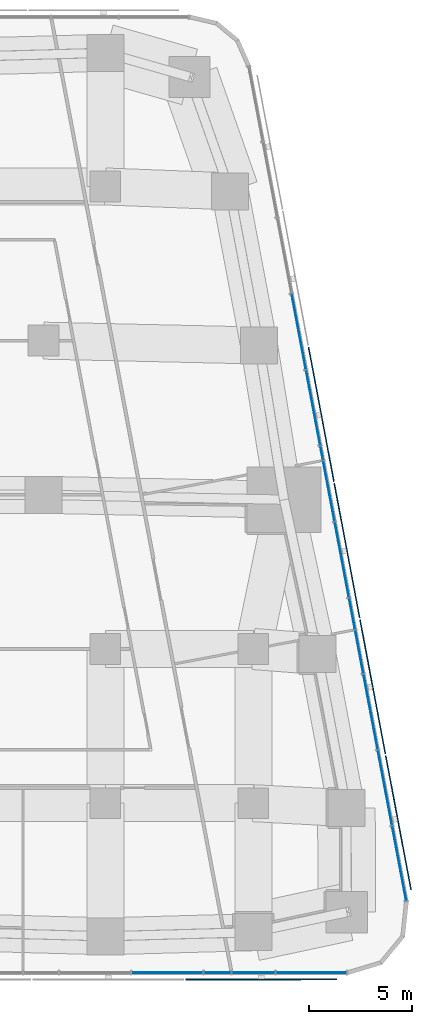
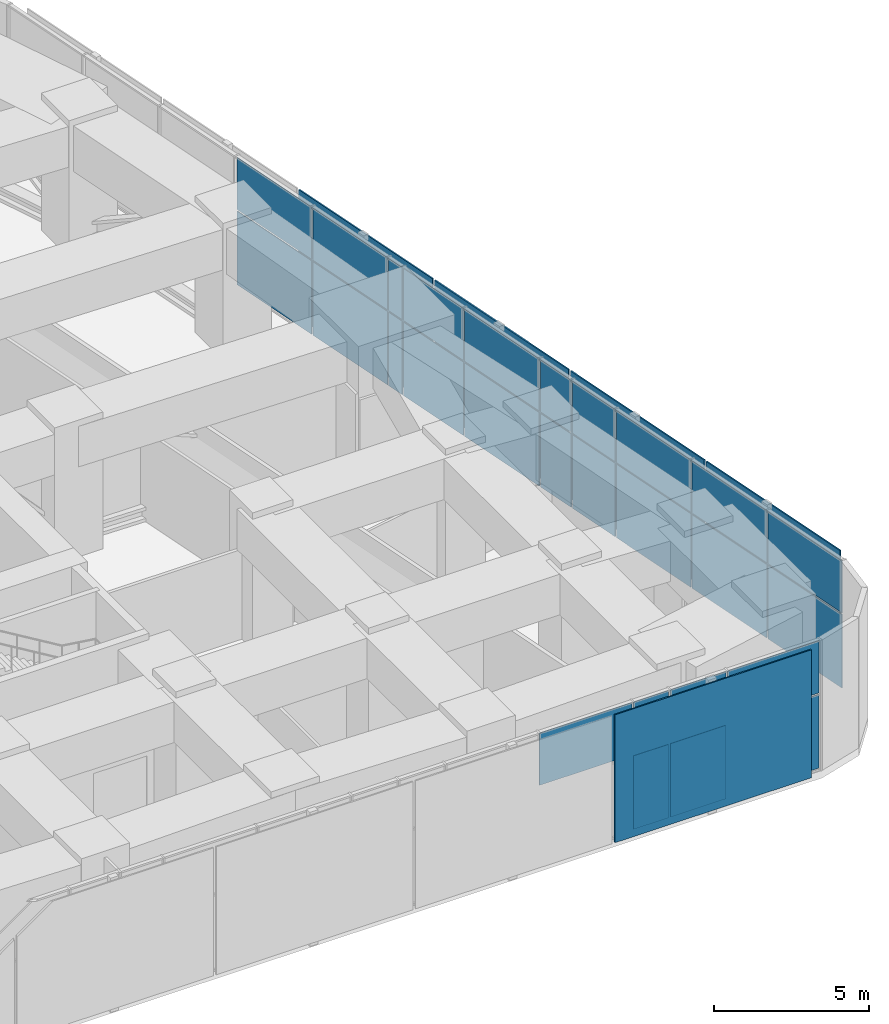
# One storey, part 10 of 17: 32 plates, 2 elements without a shape of their own.
"""IFC4 building model written with IfcOpenShell, lengths in metres."""

import ifcopenshell
import ifcopenshell.guid

model = None  # the IFC model being written
_history = None  # IfcOwnerHistory: only IFC2X3 demands one
_inside = {}  # id of a spatial element -> (the spatial element, [elements in it])
_under = {}  # id of a project, library or spatial element -> (it, [spatial elements below it])
_declared = {}  # id of a project -> (the project, [libraries it declares])
_typed = {}  # id of a type object -> (the type object, [elements of that type])
_made_of = {}  # id of a material, layer set ... -> (it, [elements and type objects made of it])


def new_model(schema):
    """Start an empty IFC model of exactly this schema.

    Asked for "IFC4X3", IfcOpenShell would pick the latest addendum, in which some entities
    have other attributes; the version numbers below select the first issue.
    IFC2X3 requires an IfcOwnerHistory on every rooted entity: one is made here for all.
    """
    global model, _history
    if schema == "IFC4X3":
        model = ifcopenshell.file(schema_version=(4, 3, 0, 0))
    else:
        model = ifcopenshell.file(schema=schema)
    _inside.clear()
    _under.clear()
    _declared.clear()
    _typed.clear()
    _made_of.clear()
    _history = None
    if model.schema == "IFC2X3":
        org = make("IfcOrganization", Name="unknown")
        user = make(
            "IfcPersonAndOrganization",
            ThePerson=make("IfcPerson", FamilyName="unknown"),
            TheOrganization=org,
        )
        app = make(
            "IfcApplication",
            ApplicationDeveloper=org,
            Version="unknown",
            ApplicationFullName="unknown",
            ApplicationIdentifier="unknown",
        )
        _history = make(
            "IfcOwnerHistory",
            OwningUser=user,
            OwningApplication=app,
            ChangeAction="ADDED",
            CreationDate=0,
        )
    return model


def make(cls, **values):
    """One entity of the class cls with the attributes given. An attribute that is None is left unset."""
    return model.create_entity(
        cls, **{name: value for name, value in values.items() if value is not None}
    )


def rooted(cls, **values):
    """An entity with a GlobalId (a new one), such as an element, a storey or a relation."""
    return make(cls, GlobalId=ifcopenshell.guid.new(), OwnerHistory=_history, **values)


def si_unit(unit_type, name, prefix=None):
    """IfcSIUnit, for example si_unit("LENGTHUNIT", "METRE", prefix="MILLI")."""
    return make("IfcSIUnit", UnitType=unit_type, Prefix=prefix, Name=name)


def assignment(units):
    """IfcUnitAssignment: the units of a project."""
    return None if units is None else make("IfcUnitAssignment", Units=units)


def point(xyz):
    """IfcCartesianPoint."""
    return None if xyz is None else make("IfcCartesianPoint", Coordinates=xyz)


def direction(xyz):
    """IfcDirection."""
    return None if xyz is None else make("IfcDirection", DirectionRatios=xyz)


def frame(location, z_axis=None, x_axis=None):
    """IfcAxis2Placement3D, a coordinate frame: its origin and axes. An axis left out is left unset."""
    return make(
        "IfcAxis2Placement3D",
        Location=point(location),
        Axis=direction(z_axis),
        RefDirection=direction(x_axis),
    )


def frame_2d(location, x_axis=None):
    """IfcAxis2Placement2D, a coordinate frame in the plane: its origin and x axis."""
    return make(
        "IfcAxis2Placement2D", Location=point(location), RefDirection=direction(x_axis)
    )


def origin():
    """The frame at (0, 0, 0) with its axes left unset."""
    return frame((0.0, 0.0, 0.0))


def origin_2d():
    """The frame at (0, 0) in the plane with its x axis left unset."""
    return frame_2d((0.0, 0.0))


def place(relative_to, where):
    """IfcLocalPlacement: puts the frame where relative to a parent placement (None: the world)."""
    return make(
        "IfcLocalPlacement", PlacementRelTo=relative_to, RelativePlacement=where
    )


def context(
    kind, dimensions, precision=None, world=None, true_north=None, identifier=None
):
    """IfcGeometricRepresentationContext, for example the 3D "Model" context."""
    return make(
        "IfcGeometricRepresentationContext",
        ContextIdentifier=identifier,
        ContextType=kind,
        CoordinateSpaceDimension=dimensions,
        Precision=precision,
        WorldCoordinateSystem=world,
        TrueNorth=true_north,
    )


def subcontext(parent, identifier, kind, view, scale=None):
    """IfcGeometricRepresentationSubContext, for example "Body" below "Model"."""
    return make(
        "IfcGeometricRepresentationSubContext",
        ContextIdentifier=identifier,
        ContextType=kind,
        ParentContext=parent,
        TargetScale=scale,
        TargetView=view,
    )


def project(units=None, contexts=None):
    """IfcProject with its units and contexts."""
    return rooted(
        "IfcProject",
        Name="project",
        RepresentationContexts=contexts,
        UnitsInContext=assignment(units),
    )


def spatial(cls, under=None, at=None, **own):
    """A site, building, storey or space (cls), placed at a placement, below another one or the project."""
    s = rooted(cls, ObjectPlacement=at, **own)
    if under is not None:
        _under.setdefault(under.id(), (under, []))[1].append(s)
    return s


def profile(cls, at=None, kind="AREA", **sizes):
    """A parametric profile (cls). Its sizes go by their IFC names, for example OverallWidth=200.0."""
    return make(cls, ProfileType=kind, Position=at, **sizes)


def rectangle(**sizes):
    """IfcRectangleProfileDef."""
    return profile("IfcRectangleProfileDef", **sizes)


def extrude(swept, where, along, depth):
    """IfcExtrudedAreaSolid: the profile swept, set in the frame where, extruded along a direction by depth."""
    return make(
        "IfcExtrudedAreaSolid",
        SweptArea=swept,
        Position=where,
        ExtrudedDirection=direction(along),
        Depth=depth,
    )


def shape(context_of_items, identifier, shape_type, items):
    """IfcShapeRepresentation: the items that make up one representation, for example the "Body"."""
    return make(
        "IfcShapeRepresentation",
        ContextOfItems=context_of_items,
        RepresentationIdentifier=identifier,
        RepresentationType=shape_type,
        Items=items,
    )


def material(Name=None, Category=None):
    """IfcMaterial."""
    return make("IfcMaterial", Name=Name, Category=Category)


def layer(
    of_material, thickness, ventilated=None, Name=None, Category=None, Priority=None
):
    """IfcMaterialLayer: one layer of a wall or slab, of a material (None: an air gap)."""
    return make(
        "IfcMaterialLayer",
        Material=of_material,
        LayerThickness=thickness,
        IsVentilated=ventilated,
        Name=Name,
        Category=Category,
        Priority=Priority,
    )


def layer_set(layers, Name=None):
    """IfcMaterialLayerSet."""
    return make("IfcMaterialLayerSet", MaterialLayers=layers, LayerSetName=Name)


def made_of(thing, what):
    """Note that an element or type object is made of a material, layer set ...; save() writes the relation."""
    if what is not None:
        _made_of.setdefault(what.id(), (what, []))[1].append(thing)
    return thing


def type_object(cls, material=None, **own):
    """A type object (cls), such as IfcWallType, which elements share."""
    return made_of(rooted(cls, **own), material)


def element(
    cls,
    number,
    at=None,
    inside=None,
    cuts=None,
    type_object=None,
    material=None,
    context=None,
    identifier="Body",
    shape_type=None,
    held_by="IfcProductDefinitionShape",
    body=None,
    shapes=None,
    **own,
):
    """One element of the class cls, such as IfcWall. Its Tag is "e" and its number.

    at: its placement. inside: the storey or other place that contains it. cuts: it is an
    opening in that element (IfcRelVoidsElement). A single representation is given by context,
    identifier, shape_type and body (its items); several are given by shapes. held_by: the class
    of the entity that holds the representations. save() writes the other relations.
    """
    e = rooted(cls, Tag="e%d" % number, ObjectPlacement=at, **own)
    if body is not None:
        shapes = [shape(context, identifier, shape_type, body)]
    if shapes is not None:
        e.Representation = make(held_by, Representations=shapes)
    if inside is not None:
        _inside.setdefault(inside.id(), (inside, []))[1].append(e)
    if cuts is not None:
        rooted(
            "IfcRelVoidsElement", RelatingBuildingElement=cuts, RelatedOpeningElement=e
        )
    if type_object is not None:
        _typed.setdefault(type_object.id(), (type_object, []))[1].append(e)
    return made_of(e, material)


def aggregate(whole, parts):
    """IfcRelAggregates: a whole, such as a stair, and the parts it consists of."""
    return rooted("IfcRelAggregates", RelatingObject=whole, RelatedObjects=parts)


def save(model, path):
    """Write the relations noted so far, then the file.

    IfcRelAggregates (storeys below a building ...), IfcRelContainedInSpatialStructure (elements
    in a storey), IfcRelDefinesByType, IfcRelAssociatesMaterial and IfcRelDeclares: one each for
    every whole, place, type object, material and project.
    """
    for whole, parts in _under.values():
        aggregate(whole, parts)
    for where, things in _inside.values():
        rooted(
            "IfcRelContainedInSpatialStructure",
            RelatedElements=things,
            RelatingStructure=where,
        )
    for kind, things in _typed.values():
        rooted("IfcRelDefinesByType", RelatedObjects=things, RelatingType=kind)
    for what, things in _made_of.values():
        rooted("IfcRelAssociatesMaterial", RelatedObjects=things, RelatingMaterial=what)
    for by, libraries in _declared.values():
        rooted("IfcRelDeclares", RelatingContext=by, RelatedDefinitions=libraries)
    model.write(path)


model = new_model("IFC4")

# Units and contexts
model_context = context("Model", 3, precision=1e-05, world=origin(), true_north=direction((0.0, 1.0)))
body_context = subcontext(model_context, "Body", "Model", "MODEL_VIEW")
ifc_project = project(units=[si_unit("LENGTHUNIT", "METRE"), si_unit("AREAUNIT", "SQUARE_METRE"), si_unit("VOLUMEUNIT", "CUBIC_METRE"), si_unit("PLANEANGLEUNIT", "RADIAN"), si_unit("MASSUNIT", "GRAM", prefix="KILO")], contexts=[model_context])

# Site, building, storey
site_placement = place(None, origin())
site = spatial("IfcSite", under=ifc_project, at=site_placement, CompositionType="ELEMENT")
building_placement = place(site_placement, origin())
building = spatial("IfcBuilding", under=site, at=building_placement, Name="Sheger Commons Tower", CompositionType="ELEMENT")
storey_placement = place(building_placement, frame((0.0, 0.0, 188.300048828125)))
storey = spatial("IfcBuildingStorey", under=building, at=storey_placement, Name="L48", CompositionType="ELEMENT", Elevation=188.300048828125)

# Curtain wall, plates
ifc_material_1 = material(Name="Black aluminium curtain wall, dark tinted glazing", Category="aluminium")
curtain_wall_type = type_object("IfcCurtainWallType", Name="CURTAIN WALL CW3 SKY FLOOR", PredefinedType="USERDEFINED", material=ifc_material_1)
curtain_wall_1_placement = place(storey_placement, origin())
curtain_wall_1 = element("IfcCurtainWall", 1, at=curtain_wall_1_placement, inside=storey, type_object=curtain_wall_type, Name="Curtain Wall Cw3 Sky Floor S1 L48", ObjectType="UNITISED CURTAIN WALL", PredefinedType="USERDEFINED")
ifc_material_2 = material(Name="Dark tinted double glazing", Category="glass")
ifc_layer_1 = layer(ifc_material_2, 0.031982421875)
ifc_layer_set_1 = layer_set([ifc_layer_1], Name="GLAZED PANEL 32")
plate_type_1 = type_object("IfcPlateType", Name="GLAZED PANEL 32", PredefinedType="CURTAIN_PANEL", material=ifc_layer_set_1)
plate_1_placement = place(storey_placement, frame((39.01611328125, -0.75, 3.0322265625), z_axis=(0.0, 0.0, 1.0), x_axis=(1.0, 0.0, 0.0)))
plate_1 = element("IfcPlate", 2, at=plate_1_placement, type_object=plate_type_1, Name="CW3 panel 14.2", PredefinedType="CURTAIN_PANEL", context=body_context, shape_type="SweptSolid", body=[
    extrude(rectangle(XDim=3.445068359375, YDim=0.031982421875, at=origin_2d()), origin(), (0.0, 0.0, 1.0), 2.052490234375),
])
plate_2_placement = place(storey_placement, frame((41.45849609375, -0.75, 0.06494140625), z_axis=(0.0, 0.0, 1.0), x_axis=(1.0, 0.0, 0.0)))
plate_2 = element("IfcPlate", 3, at=plate_2_placement, type_object=plate_type_1, Name="CW3 panel 15.1", PredefinedType="CURTAIN_PANEL", context=body_context, shape_type="SweptSolid", body=[
    extrude(rectangle(XDim=1.31005859375, YDim=0.031982421875, at=origin_2d()), origin(), (0.0, 0.0, 1.0), 2.902587890625),
])
plate_3_placement = place(storey_placement, frame((41.45849609375, -0.75, 3.0322265625), z_axis=(0.0, 0.0, 1.0), x_axis=(1.0, 0.0, 0.0)))
plate_3 = element("IfcPlate", 4, at=plate_3_placement, type_object=plate_type_1, Name="CW3 panel 15.2", PredefinedType="CURTAIN_PANEL", context=body_context, shape_type="SweptSolid", body=[
    extrude(rectangle(XDim=1.31005859375, YDim=0.031982421875, at=origin_2d()), origin(), (0.0, 0.0, 1.0), 2.052490234375),
])
plate_4_placement = place(storey_placement, frame((43.21337890625, -0.75, 0.06494140625), z_axis=(0.0, 0.0, 1.0), x_axis=(1.0, 0.0, 0.0)))
plate_4 = element("IfcPlate", 5, at=plate_4_placement, type_object=plate_type_1, Name="CW3 panel 16.1", PredefinedType="CURTAIN_PANEL", context=body_context, shape_type="SweptSolid", body=[
    extrude(rectangle(XDim=2.070068359375, YDim=0.031982421875, at=origin_2d()), origin(), (0.0, 0.0, 1.0), 2.902587890625),
])
plate_5_placement = place(storey_placement, frame((43.21337890625, -0.75, 3.0322265625), z_axis=(0.0, 0.0, 1.0), x_axis=(1.0, 0.0, 0.0)))
plate_5 = element("IfcPlate", 6, at=plate_5_placement, type_object=plate_type_1, Name="CW3 panel 16.2", PredefinedType="CURTAIN_PANEL", context=body_context, shape_type="SweptSolid", body=[
    extrude(rectangle(XDim=2.070068359375, YDim=0.031982421875, at=origin_2d()), origin(), (0.0, 0.0, 1.0), 2.052490234375),
])
plate_6_placement = place(storey_placement, frame((46.019775390625, -0.75, 0.06494140625), z_axis=(0.0, 0.0, 1.0), x_axis=(1.0, 0.0, 0.0)))
plate_6 = element("IfcPlate", 7, at=plate_6_placement, type_object=plate_type_1, Name="CW3 panel 17.1", PredefinedType="CURTAIN_PANEL", context=body_context, shape_type="SweptSolid", body=[
    extrude(rectangle(XDim=3.41259765625, YDim=0.031982421875, at=origin_2d()), origin(), (0.0, 0.0, 1.0), 2.902587890625),
])
plate_7_placement = place(storey_placement, frame((46.019775390625, -0.75, 3.0322265625), z_axis=(0.0, 0.0, 1.0), x_axis=(1.0, 0.0, 0.0)))
plate_7 = element("IfcPlate", 8, at=plate_7_placement, type_object=plate_type_1, Name="CW3 panel 17.2", PredefinedType="CURTAIN_PANEL", context=body_context, shape_type="SweptSolid", body=[
    extrude(rectangle(XDim=3.41259765625, YDim=0.031982421875, at=origin_2d()), origin(), (0.0, 0.0, 1.0), 2.052490234375),
])
aggregate(curtain_wall_1, [plate_1, plate_2, plate_3, plate_4, plate_5, plate_6, plate_7])

curtain_wall_2_placement = place(storey_placement, origin())
curtain_wall_2 = element("IfcCurtainWall", 9, at=curtain_wall_2_placement, inside=storey, type_object=curtain_wall_type, Name="Curtain Wall Cw3 Sky Floor E1 L48", ObjectType="UNITISED CURTAIN WALL", PredefinedType="USERDEFINED")
plate_8_placement = place(storey_placement, frame((50.30078125, 4.56787109375, 0.06494140625), z_axis=(0.0, 0.0, 1.0), x_axis=(-0.185609884918, 0.982623514181, 0.0)))
plate_8 = element("IfcPlate", 10, at=plate_8_placement, type_object=plate_type_1, Name="CW3 panel 1.1", PredefinedType="CURTAIN_PANEL", context=body_context, shape_type="SweptSolid", body=[
    extrude(rectangle(XDim=3.66552734375, YDim=0.031982421875, at=origin_2d()), origin(), (0.0, 0.0, 1.0), 2.902587890625),
])
plate_9_placement = place(storey_placement, frame((50.30078125, 4.56787109375, 3.0322265625), z_axis=(0.0, 0.0, 1.0), x_axis=(-0.185609884918, 0.982623514181, 0.0)))
plate_9 = element("IfcPlate", 11, at=plate_9_placement, type_object=plate_type_1, Name="CW3 panel 1.2", PredefinedType="CURTAIN_PANEL", context=body_context, shape_type="SweptSolid", body=[
    extrude(rectangle(XDim=3.66552734375, YDim=0.031982421875, at=origin_2d()), origin(), (0.0, 0.0, 1.0), 2.052490234375),
])
plate_10_placement = place(storey_placement, frame((49.605224609375, 8.24951171875, 0.06494140625), z_axis=(0.0, 0.0, 1.0), x_axis=(-0.185609884918, 0.982623514181, 0.0)))
plate_10 = element("IfcPlate", 12, at=plate_10_placement, type_object=plate_type_1, Name="CW3 panel 2.1", PredefinedType="CURTAIN_PANEL", context=body_context, shape_type="SweptSolid", body=[
    extrude(rectangle(XDim=3.697998046875, YDim=0.031982421875, at=origin_2d()), origin(), (0.0, 0.0, 1.0), 2.902587890625),
])
plate_11_placement = place(storey_placement, frame((49.605224609375, 8.24951171875, 3.0322265625), z_axis=(0.0, 0.0, 1.0), x_axis=(-0.185609884918, 0.982623514181, 0.0)))
plate_11 = element("IfcPlate", 13, at=plate_11_placement, type_object=plate_type_1, Name="CW3 panel 2.2", PredefinedType="CURTAIN_PANEL", context=body_context, shape_type="SweptSolid", body=[
    extrude(rectangle(XDim=3.697998046875, YDim=0.031982421875, at=origin_2d()), origin(), (0.0, 0.0, 1.0), 2.052490234375),
])
plate_12_placement = place(storey_placement, frame((48.906982421875, 11.947021484375, 0.06494140625), z_axis=(0.0, 0.0, 1.0), x_axis=(-0.185609884918, 0.982623514181, 0.0)))
plate_12 = element("IfcPlate", 14, at=plate_12_placement, type_object=plate_type_1, Name="CW3 panel 3.1", PredefinedType="CURTAIN_PANEL", context=body_context, shape_type="SweptSolid", body=[
    extrude(rectangle(XDim=3.697998046875, YDim=0.031982421875, at=origin_2d()), origin(), (0.0, 0.0, 1.0), 2.902587890625),
])
plate_13_placement = place(storey_placement, frame((48.906982421875, 11.947021484375, 3.0322265625), z_axis=(0.0, 0.0, 1.0), x_axis=(-0.185609884918, 0.982623514181, 0.0)))
plate_13 = element("IfcPlate", 15, at=plate_13_placement, type_object=plate_type_1, Name="CW3 panel 3.2", PredefinedType="CURTAIN_PANEL", context=body_context, shape_type="SweptSolid", body=[
    extrude(rectangle(XDim=3.697998046875, YDim=0.031982421875, at=origin_2d()), origin(), (0.0, 0.0, 1.0), 2.052490234375),
])
plate_14_placement = place(storey_placement, frame((48.35546875, 14.865966796875, 0.06494140625), z_axis=(0.0, 0.0, 1.0), x_axis=(-0.185609884918, 0.982623514181, 0.0)))
plate_14 = element("IfcPlate", 16, at=plate_14_placement, type_object=plate_type_1, Name="CW3 panel 4.1", PredefinedType="CURTAIN_PANEL", context=body_context, shape_type="SweptSolid", body=[
    extrude(rectangle(XDim=2.113037109375, YDim=0.031982421875, at=origin_2d()), origin(), (0.0, 0.0, 1.0), 2.902587890625),
])
plate_15_placement = place(storey_placement, frame((48.35546875, 14.865966796875, 3.0322265625), z_axis=(0.0, 0.0, 1.0), x_axis=(-0.185609884918, 0.982623514181, 0.0)))
plate_15 = element("IfcPlate", 17, at=plate_15_placement, type_object=plate_type_1, Name="CW3 panel 4.2", PredefinedType="CURTAIN_PANEL", context=body_context, shape_type="SweptSolid", body=[
    extrude(rectangle(XDim=2.113037109375, YDim=0.031982421875, at=origin_2d()), origin(), (0.0, 0.0, 1.0), 2.052490234375),
])
plate_16_placement = place(storey_placement, frame((48.00634765625, 16.714599609375, 0.06494140625), z_axis=(0.0, 0.0, 1.0), x_axis=(-0.185609884918, 0.982623514181, 0.0)))
plate_16 = element("IfcPlate", 18, at=plate_16_placement, type_object=plate_type_1, Name="CW3 panel 5.1", PredefinedType="CURTAIN_PANEL", context=body_context, shape_type="SweptSolid", body=[
    extrude(rectangle(XDim=1.52001953125, YDim=0.031982421875, at=origin_2d()), origin(), (0.0, 0.0, 1.0), 2.902587890625),
])
plate_17_placement = place(storey_placement, frame((48.00634765625, 16.714599609375, 3.0322265625), z_axis=(0.0, 0.0, 1.0), x_axis=(-0.185609884918, 0.982623514181, 0.0)))
plate_17 = element("IfcPlate", 19, at=plate_17_placement, type_object=plate_type_1, Name="CW3 panel 5.2", PredefinedType="CURTAIN_PANEL", context=body_context, shape_type="SweptSolid", body=[
    extrude(rectangle(XDim=1.52001953125, YDim=0.031982421875, at=origin_2d()), origin(), (0.0, 0.0, 1.0), 2.052490234375),
])
plate_18_placement = place(storey_placement, frame((47.510009765625, 19.34228515625, 0.06494140625), z_axis=(0.0, 0.0, 1.0), x_axis=(-0.185609884918, 0.982623514181, 0.0)))
plate_18 = element("IfcPlate", 20, at=plate_18_placement, type_object=plate_type_1, Name="CW3 panel 6.1", PredefinedType="CURTAIN_PANEL", context=body_context, shape_type="SweptSolid", body=[
    extrude(rectangle(XDim=3.697998046875, YDim=0.031982421875, at=origin_2d()), origin(), (0.0, 0.0, 1.0), 2.902587890625),
])
plate_19_placement = place(storey_placement, frame((47.510009765625, 19.34228515625, 3.0322265625), z_axis=(0.0, 0.0, 1.0), x_axis=(-0.185609884918, 0.982623514181, 0.0)))
plate_19 = element("IfcPlate", 21, at=plate_19_placement, type_object=plate_type_1, Name="CW3 panel 6.2", PredefinedType="CURTAIN_PANEL", context=body_context, shape_type="SweptSolid", body=[
    extrude(rectangle(XDim=3.697998046875, YDim=0.031982421875, at=origin_2d()), origin(), (0.0, 0.0, 1.0), 2.052490234375),
])
plate_20_placement = place(storey_placement, frame((46.87939453125, 22.6806640625, 0.06494140625), z_axis=(0.0, 0.0, 1.0), x_axis=(-0.185609884918, 0.982623514181, 0.0)))
plate_20 = element("IfcPlate", 22, at=plate_20_placement, type_object=plate_type_1, Name="CW3 panel 7.1", PredefinedType="CURTAIN_PANEL", context=body_context, shape_type="SweptSolid", body=[
    extrude(rectangle(XDim=2.967041015625, YDim=0.031982421875, at=origin_2d()), origin(), (0.0, 0.0, 1.0), 2.902587890625),
])
plate_21_placement = place(storey_placement, frame((46.87939453125, 22.6806640625, 3.0322265625), z_axis=(0.0, 0.0, 1.0), x_axis=(-0.185609884918, 0.982623514181, 0.0)))
plate_21 = element("IfcPlate", 23, at=plate_21_placement, type_object=plate_type_1, Name="CW3 panel 7.2", PredefinedType="CURTAIN_PANEL", context=body_context, shape_type="SweptSolid", body=[
    extrude(rectangle(XDim=2.967041015625, YDim=0.031982421875, at=origin_2d()), origin(), (0.0, 0.0, 1.0), 2.052490234375),
])
plate_22_placement = place(storey_placement, frame((46.530029296875, 24.529541015625, 0.06494140625), z_axis=(0.0, 0.0, 1.0), x_axis=(-0.185609884918, 0.982623514181, 0.0)))
plate_22 = element("IfcPlate", 24, at=plate_22_placement, type_object=plate_type_1, Name="CW3 panel 8.1", PredefinedType="CURTAIN_PANEL", context=body_context, shape_type="SweptSolid", body=[
    extrude(rectangle(XDim=0.666015625, YDim=0.031982421875, at=origin_2d()), origin(), (0.0, 0.0, 1.0), 2.902587890625),
])
plate_23_placement = place(storey_placement, frame((46.530029296875, 24.529541015625, 3.0322265625), z_axis=(0.0, 0.0, 1.0), x_axis=(-0.185609884918, 0.982623514181, 0.0)))
plate_23 = element("IfcPlate", 25, at=plate_23_placement, type_object=plate_type_1, Name="CW3 panel 8.2", PredefinedType="CURTAIN_PANEL", context=body_context, shape_type="SweptSolid", body=[
    extrude(rectangle(XDim=0.666015625, YDim=0.031982421875, at=origin_2d()), origin(), (0.0, 0.0, 1.0), 2.052490234375),
])
plate_24_placement = place(storey_placement, frame((46.113037109375, 26.737548828125, 0.06494140625), z_axis=(0.0, 0.0, 1.0), x_axis=(-0.185609884918, 0.982623514181, 0.0)))
plate_24 = element("IfcPlate", 26, at=plate_24_placement, type_object=plate_type_1, Name="CW3 panel 9.1", PredefinedType="CURTAIN_PANEL", context=body_context, shape_type="SweptSolid", body=[
    extrude(rectangle(XDim=3.697998046875, YDim=0.031982421875, at=origin_2d()), origin(), (0.0, 0.0, 1.0), 2.902587890625),
])
plate_25_placement = place(storey_placement, frame((46.113037109375, 26.737548828125, 3.0322265625), z_axis=(0.0, 0.0, 1.0), x_axis=(-0.185609884918, 0.982623514181, 0.0)))
plate_25 = element("IfcPlate", 27, at=plate_25_placement, type_object=plate_type_1, Name="CW3 panel 9.2", PredefinedType="CURTAIN_PANEL", context=body_context, shape_type="SweptSolid", body=[
    extrude(rectangle(XDim=3.697998046875, YDim=0.031982421875, at=origin_2d()), origin(), (0.0, 0.0, 1.0), 2.052490234375),
])
plate_26_placement = place(storey_placement, frame((45.41455078125, 30.43505859375, 0.06494140625), z_axis=(0.0, 0.0, 1.0), x_axis=(-0.185609884918, 0.982623514181, 0.0)))
plate_26 = element("IfcPlate", 28, at=plate_26_placement, type_object=plate_type_1, Name="CW3 panel 10.1", PredefinedType="CURTAIN_PANEL", context=body_context, shape_type="SweptSolid", body=[
    extrude(rectangle(XDim=3.697998046875, YDim=0.031982421875, at=origin_2d()), origin(), (0.0, 0.0, 1.0), 2.902587890625),
])
plate_27_placement = place(storey_placement, frame((45.41455078125, 30.43505859375, 3.0322265625), z_axis=(0.0, 0.0, 1.0), x_axis=(-0.185609884918, 0.982623514181, 0.0)))
plate_27 = element("IfcPlate", 29, at=plate_27_placement, type_object=plate_type_1, Name="CW3 panel 10.2", PredefinedType="CURTAIN_PANEL", context=body_context, shape_type="SweptSolid", body=[
    extrude(rectangle(XDim=3.697998046875, YDim=0.031982421875, at=origin_2d()), origin(), (0.0, 0.0, 1.0), 2.052490234375),
])
aggregate(curtain_wall_2, [plate_8, plate_9, plate_10, plate_11, plate_12, plate_13, plate_14, plate_15, plate_16, plate_17, plate_18, plate_19, plate_20, plate_21, plate_22, plate_23, plate_24, plate_25, plate_26, plate_27])

# Plates
ifc_material_3 = material(Name="Perforated black anodised aluminium screen", Category="aluminium")
ifc_layer_2 = layer(ifc_material_3, 0.050048828125)
ifc_layer_set_2 = layer_set([ifc_layer_2], Name="SOLAR SCREEN SCREEN-1")
plate_type_2 = type_object("IfcPlateType", Name="SOLAR SCREEN SCREEN-1", PredefinedType="USERDEFINED", material=ifc_layer_set_2)
plate_28_placement = place(storey_placement, frame((43.5849609375, -1.074951171875, 0.0498046875), z_axis=(0.0, 0.0, 1.0), x_axis=(1.0, 0.0, 0.0)))
element("IfcPlate", 30, at=plate_28_placement, inside=storey, type_object=plate_type_2, Name="Perforated solar screen panel", ObjectType="SCREEN", PredefinedType="USERDEFINED", context=body_context, shape_type="SweptSolid", body=[
    extrude(rectangle(XDim=7.343017578125, YDim=0.050048828125, at=origin_2d()), origin(), (0.0, 0.0, 1.0), 5.050048828125),
])
for number, where, z_axis, x_axis, name in (
    (31, (50.257080078125, 6.550048828125, 0.0498046875), (0.0, 0.0, 1.0), (-0.185615165645, 0.982622516678, 0.0), "Perforated solar screen panel"),
    (32, (49.007080078125, 13.1689453125, 0.0498046875), (0.0, 0.0, 1.0), (-0.185615165645, 0.982622516678, 0.0), "Perforated solar screen panel"),
    (33, (47.756103515625, 19.7890625, 0.0498046875), (0.0, 0.0, 1.0), (-0.185615165645, 0.982622516678, 0.0), "Perforated solar screen panel"),
    (34, (46.506103515625, 26.408935546875, 0.0498046875), (0.0, 0.0, 1.0), (-0.185615165645, 0.982622516678, 0.0), "Perforated solar screen panel"),
):
    element("IfcPlate", number, at=place(storey_placement, frame(where, z_axis=z_axis, x_axis=x_axis)), inside=storey, type_object=plate_type_2, Name=name, ObjectType="SCREEN", PredefinedType="USERDEFINED", context=body_context, shape_type="SweptSolid", body=[
        extrude(rectangle(XDim=6.636962890625, YDim=0.050048828125, at=origin_2d()), origin(), (0.0, 0.0, 1.0), 5.050048828125),
    ])

save(model, "model.ifc")
